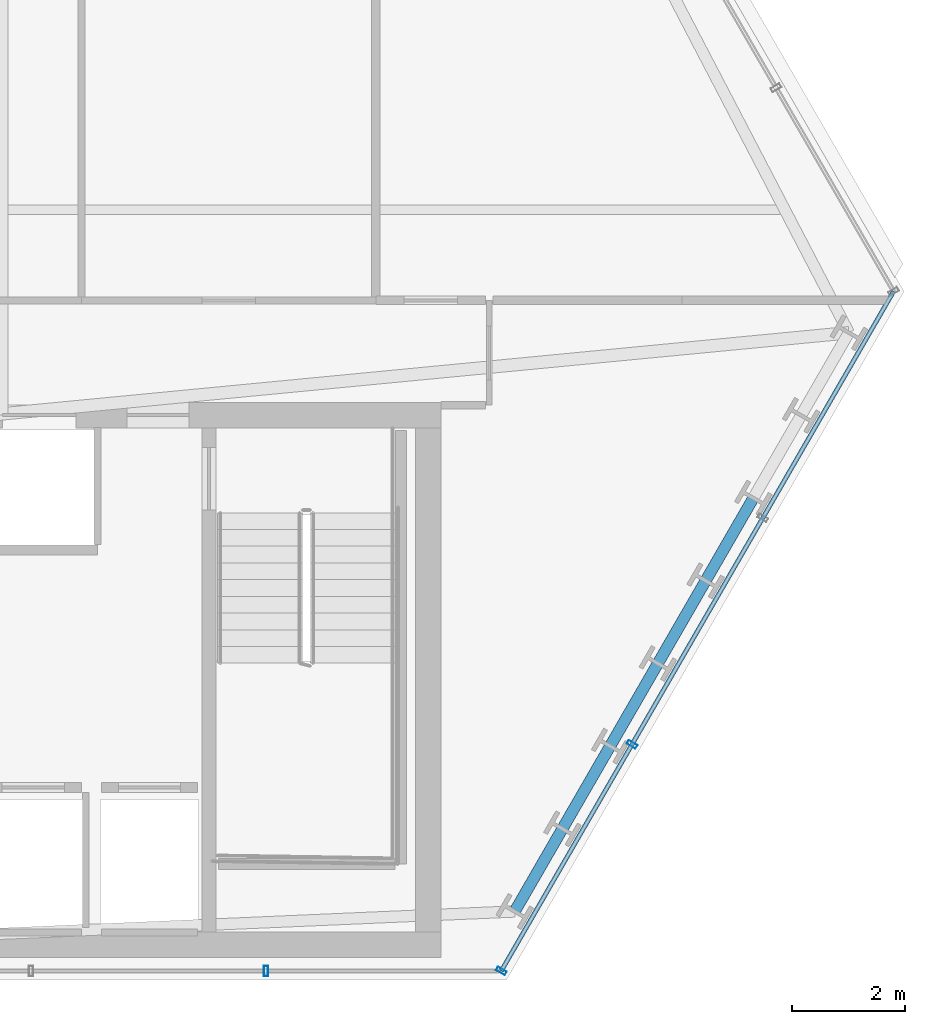
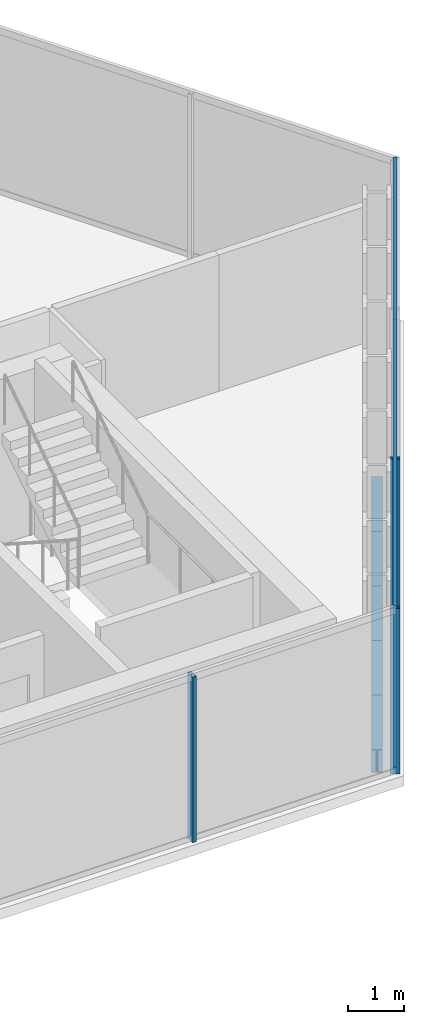
# One storey, part 17 of 32: 5 beams, 5 members, 2 elements without a shape of their own.
"""IFC4 building model written with IfcOpenShell, lengths in metres."""

from ifc_helpers import new_model, si_unit, direction, frame, origin, origin_2d, place, context, subcontext, project, spatial, hollow_rectangle, i_section, extrude, material, layer, layer_set, material_profile, profile_set, type_object, element, aggregate, save


model = new_model("IFC4")

# Units and contexts
model_context = context("Model", 3, precision=1e-05, world=origin(), true_north=direction((0.0, 1.0)))
body_context = subcontext(model_context, "Body", "Model", "MODEL_VIEW")
ifc_project = project(units=[si_unit("LENGTHUNIT", "METRE"), si_unit("AREAUNIT", "SQUARE_METRE"), si_unit("VOLUMEUNIT", "CUBIC_METRE"), si_unit("PLANEANGLEUNIT", "RADIAN"), si_unit("MASSUNIT", "GRAM", prefix="KILO")], contexts=[model_context])

# Site, building, storey
site_placement = place(None, origin())
site = spatial("IfcSite", under=ifc_project, at=site_placement, CompositionType="ELEMENT")
building_placement = place(site_placement, origin())
building = spatial("IfcBuilding", under=site, at=building_placement, Name="Ndaravel Arena Tower", CompositionType="ELEMENT")
storey_placement = place(building_placement, frame((0.0, 0.0, 93.0)))
storey = spatial("IfcBuildingStorey", under=building, at=storey_placement, Name="L21", CompositionType="ELEMENT", Elevation=93.0)

# Beams
ifc_material_1 = material(Name="Steel S355", Category="steel")
ifc_material_profile_1 = material_profile(ifc_material_1, i_section(OverallWidth=0.199951171875, OverallDepth=0.5, WebThickness=0.01025390625, FlangeThickness=0.01611328125, FilletRadius=0.02099609375, at=origin_2d()), Name="IPE 500")
ifc_profile_set_1 = profile_set([ifc_material_profile_1], Name="Steel S355")
beam_type = type_object("IfcBeamType", Name="BM-SPAN-IPE500", PredefinedType="SPANDREL", material=ifc_profile_set_1)
beam_1_placement = place(storey_placement, frame((58.84912109375, 6.2099609375, -0.469970703125), z_axis=(0.499985669323, 0.866033677446, 0.0), x_axis=(-0.866033677446, 0.499985669323, 0.0)))
element("IfcBeam", 1, at=beam_1_placement, inside=storey, type_object=beam_type, Name="L21 Perimeter Spandrel Beam SP-02", PredefinedType="SPANDREL", context=body_context, shape_type="SweptSolid", body=[
    extrude(i_section(OverallWidth=0.199951171875, OverallDepth=0.5, WebThickness=0.01025390625, FlangeThickness=0.01611328125, FilletRadius=0.02099609375, at=origin_2d()), origin(), (0.0, 0.0, 1.0), 1.68603515625),
])
beam_2_placement = place(storey_placement, frame((59.692138671875, 7.670166015625, -0.469970703125), z_axis=(0.499939757307, 0.866060182126, 0.0), x_axis=(-0.866060182126, 0.499939757307, 0.0)))
element("IfcBeam", 2, at=beam_2_placement, inside=storey, type_object=beam_type, Name="L21 Perimeter Spandrel Beam SP-03", PredefinedType="SPANDREL", context=body_context, shape_type="SweptSolid", body=[
    extrude(i_section(OverallWidth=0.199951171875, OverallDepth=0.5, WebThickness=0.01025390625, FlangeThickness=0.01611328125, FilletRadius=0.02099609375, at=origin_2d()), origin(), (0.0, 0.0, 1.0), 1.685791015625),
])
beam_3_placement = place(storey_placement, frame((60.534912109375, 9.130126953125, -0.469970703125), z_axis=(0.499985669323, 0.866033677446, 0.0), x_axis=(-0.866033677446, 0.499985669323, 0.0)))
element("IfcBeam", 3, at=beam_3_placement, inside=storey, type_object=beam_type, Name="L21 Perimeter Spandrel Beam SP-04", PredefinedType="SPANDREL", context=body_context, shape_type="SweptSolid", body=[
    extrude(i_section(OverallWidth=0.199951171875, OverallDepth=0.5, WebThickness=0.01025390625, FlangeThickness=0.01611328125, FilletRadius=0.02099609375, at=origin_2d()), origin(), (0.0, 0.0, 1.0), 1.68603515625),
])
beam_4_placement = place(storey_placement, frame((61.3779296875, 10.59033203125, -0.469970703125), z_axis=(0.500048373822, 0.865997473344, 0.0), x_axis=(-0.865997473344, 0.500048373822, 0.0)))
element("IfcBeam", 4, at=beam_4_placement, inside=storey, type_object=beam_type, Name="L21 Perimeter Spandrel Beam SP-05", PredefinedType="SPANDREL", context=body_context, shape_type="SweptSolid", body=[
    extrude(i_section(OverallWidth=0.199951171875, OverallDepth=0.5, WebThickness=0.01025390625, FlangeThickness=0.01611328125, FilletRadius=0.02099609375, at=origin_2d()), origin(), (0.0, 0.0, 1.0), 1.685791015625),
])
beam_5_placement = place(storey_placement, frame((62.220947265625, 12.05029296875, -0.469970703125), z_axis=(0.499985669323, 0.866033677446, 0.0), x_axis=(-0.866033677446, 0.499985669323, 0.0)))
element("IfcBeam", 5, at=beam_5_placement, inside=storey, type_object=beam_type, Name="L21 Perimeter Spandrel Beam SP-06", PredefinedType="SPANDREL", context=body_context, shape_type="SweptSolid", body=[
    extrude(i_section(OverallWidth=0.199951171875, OverallDepth=0.5, WebThickness=0.01025390625, FlangeThickness=0.01611328125, FilletRadius=0.02099609375, at=origin_2d()), origin(), (0.0, 0.0, 1.0), 1.68603515625),
])

# Curtain wall, member
ifc_material_2 = material(Name="Aluminium", Category="aluminium")
ifc_layer_1 = layer(ifc_material_2, 0.179931640625)
ifc_layer_set_1 = layer_set([ifc_layer_1], Name="Aluminium")
curtain_wall_type_1 = type_object("IfcCurtainWallType", Name="CW-SYS-03", PredefinedType="NOTDEFINED", material=ifc_layer_set_1)
curtain_wall_1_placement = place(storey_placement, origin())
curtain_wall_1 = element("IfcCurtainWall", 6, at=curtain_wall_1_placement, inside=storey, type_object=curtain_wall_type_1, Name="L21 Faceted Crystal Curtain Wall CW-L21-E01", PredefinedType="NOTDEFINED")
ifc_material_3 = material(Name="Aluminium", Category="aluminium")
ifc_material_profile_2 = material_profile(ifc_material_3, hollow_rectangle(XDim=0.074951171875, YDim=0.179931640625, WallThickness=0.00390625, at=origin_2d()), Name="CW MULLION 75x180x4")
ifc_profile_set_2 = profile_set([ifc_material_profile_2], Name="Aluminium")
member_type_1 = type_object("IfcMemberType", Name="MEM-CW-MUL180", PredefinedType="MULLION", material=ifc_profile_set_2)
member_1_placement = place(storey_placement, frame((54.459228515625, 5.159912109375, 0.0), z_axis=(0.0, 0.0, 1.0), x_axis=(1.0, 0.0, 0.0)))
member_1 = element("IfcMember", 7, at=member_1_placement, type_object=member_type_1, Name="CW-L21-E01 Mullion 07", PredefinedType="MULLION", context=body_context, shape_type="SweptSolid", body=[
    extrude(hollow_rectangle(XDim=0.074951171875, YDim=0.179931640625, WallThickness=0.00390625, at=origin_2d()), origin(), (0.0, 0.0, 1.0), 3.580078125),
])
aggregate(curtain_wall_1, [member_1])

# Curtain wall, members
ifc_material_4 = material(Name="Aluminium", Category="aluminium")
ifc_layer_2 = layer(ifc_material_4, 0.179931640625)
ifc_layer_set_2 = layer_set([ifc_layer_2], Name="Aluminium")
curtain_wall_type_2 = type_object("IfcCurtainWallType", Name="CW-SYS-01", PredefinedType="NOTDEFINED", material=ifc_layer_set_2)
curtain_wall_2_placement = place(storey_placement, origin())
curtain_wall_2 = element("IfcCurtainWall", 8, at=curtain_wall_2_placement, inside=storey, type_object=curtain_wall_type_2, Name="L21 Faceted Crystal Curtain Wall CW-L21-E02", PredefinedType="NOTDEFINED")
member_2_placement = place(storey_placement, frame((58.6123046875, 5.159912109375, 0.0), z_axis=(0.0, 0.0, 1.0), x_axis=(0.5, 0.866025403784, 0.0)))
member_2 = element("IfcMember", 9, at=member_2_placement, type_object=member_type_1, Name="CW-L21-E02 Mullion 00", PredefinedType="MULLION", context=body_context, shape_type="SweptSolid", body=[
    extrude(hollow_rectangle(XDim=0.074951171875, YDim=0.179931640625, WallThickness=0.00390625, at=origin_2d()), origin(), (0.0, 0.0, 1.0), 3.580078125),
])
member_3_placement = place(storey_placement, frame((60.921875, 9.16015625, 0.0), z_axis=(0.0, 0.0, 1.0), x_axis=(0.5, 0.866025403784, 0.0)))
member_3 = element("IfcMember", 10, at=member_3_placement, type_object=member_type_1, Name="CW-L21-E02 Mullion 01", PredefinedType="MULLION", context=body_context, shape_type="SweptSolid", body=[
    extrude(hollow_rectangle(XDim=0.074951171875, YDim=0.179931640625, WallThickness=0.00390625, at=origin_2d()), origin(), (0.0, 0.0, 1.0), 3.580078125),
])
ifc_material_5 = material(Name="Aluminium", Category="aluminium")
ifc_material_profile_3 = material_profile(ifc_material_5, hollow_rectangle(XDim=0.074951171875, YDim=0.14990234375, WallThickness=0.00390625, at=origin_2d()), Name="CW TRANSOM 75x150x4")
ifc_profile_set_3 = profile_set([ifc_material_profile_3], Name="Aluminium")
member_type_2 = type_object("IfcMemberType", Name="MEM-CW-TRN150", PredefinedType="USERDEFINED", material=ifc_profile_set_3)
member_4_placement = place(storey_placement, frame((58.6123046875, 5.159912109375, 0.0400390625), z_axis=(0.500004591975, 0.86602275259, 0.0), x_axis=(-0.86602275259, 0.500004591975, 0.0)))
member_4 = element("IfcMember", 11, at=member_4_placement, type_object=member_type_2, Name="CW-L21-E02 Transom 01", ObjectType="TRANSOM", PredefinedType="USERDEFINED", context=body_context, shape_type="SweptSolid", body=[
    extrude(hollow_rectangle(XDim=0.074951171875, YDim=0.14990234375, WallThickness=0.00390625, at=origin_2d()), origin(), (0.0, 0.0, 1.0), 13.857177734375),
])
member_5_placement = place(storey_placement, frame((58.6123046875, 5.159912109375, 3.5400390625), z_axis=(0.500004591975, 0.86602275259, 0.0), x_axis=(-0.86602275259, 0.500004591975, 0.0)))
member_5 = element("IfcMember", 12, at=member_5_placement, type_object=member_type_2, Name="CW-L21-E02 Transom 02", ObjectType="TRANSOM", PredefinedType="USERDEFINED", context=body_context, shape_type="SweptSolid", body=[
    extrude(hollow_rectangle(XDim=0.074951171875, YDim=0.14990234375, WallThickness=0.00390625, at=origin_2d()), origin(), (0.0, 0.0, 1.0), 13.857177734375),
])
aggregate(curtain_wall_2, [member_2, member_3, member_4, member_5])

save(model, "model.ifc")
